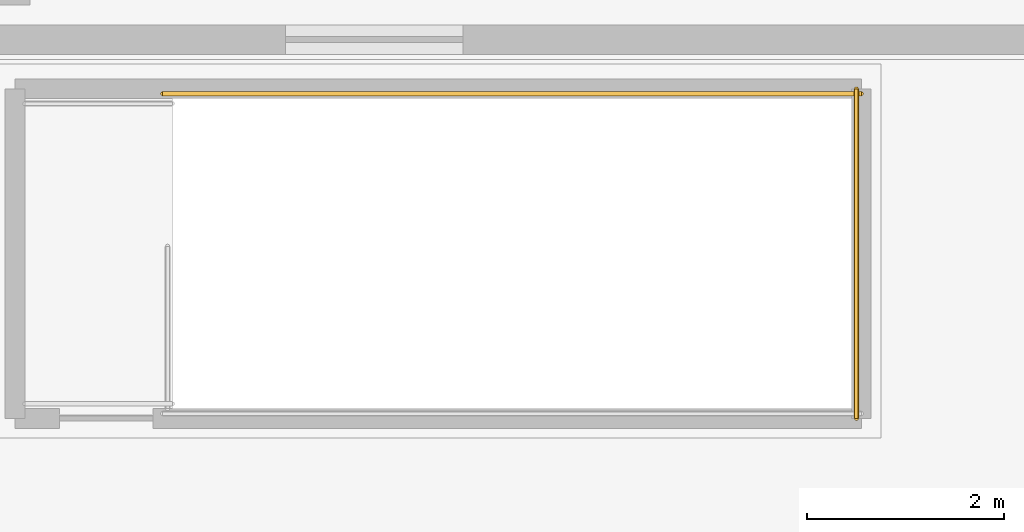
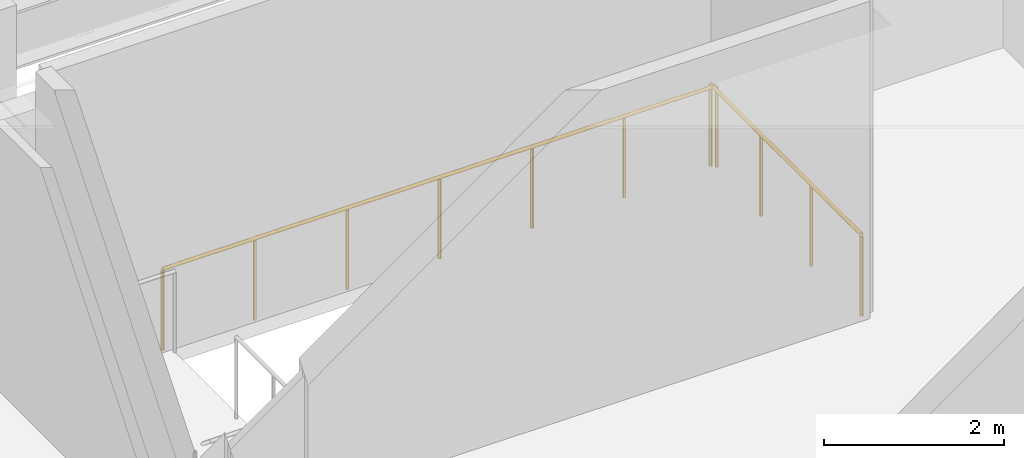
# One storey, part 23 of 24: 2 railings.
"""IFC4 building model written with IfcOpenShell, lengths in metres."""

import ifcopenshell
import ifcopenshell.guid

model = None  # the IFC model being written
_history = None  # IfcOwnerHistory: only IFC2X3 demands one
_inside = {}  # id of a spatial element -> (the spatial element, [elements in it])
_under = {}  # id of a project, library or spatial element -> (it, [spatial elements below it])
_declared = {}  # id of a project -> (the project, [libraries it declares])
_typed = {}  # id of a type object -> (the type object, [elements of that type])
_made_of = {}  # id of a material, layer set ... -> (it, [elements and type objects made of it])


def new_model(schema):
    """Start an empty IFC model of exactly this schema.

    Asked for "IFC4X3", IfcOpenShell would pick the latest addendum, in which some entities
    have other attributes; the version numbers below select the first issue.
    IFC2X3 requires an IfcOwnerHistory on every rooted entity: one is made here for all.
    """
    global model, _history
    if schema == "IFC4X3":
        model = ifcopenshell.file(schema_version=(4, 3, 0, 0))
    else:
        model = ifcopenshell.file(schema=schema)
    _inside.clear()
    _under.clear()
    _declared.clear()
    _typed.clear()
    _made_of.clear()
    _history = None
    if model.schema == "IFC2X3":
        org = make("IfcOrganization", Name="unknown")
        user = make(
            "IfcPersonAndOrganization",
            ThePerson=make("IfcPerson", FamilyName="unknown"),
            TheOrganization=org,
        )
        app = make(
            "IfcApplication",
            ApplicationDeveloper=org,
            Version="unknown",
            ApplicationFullName="unknown",
            ApplicationIdentifier="unknown",
        )
        _history = make(
            "IfcOwnerHistory",
            OwningUser=user,
            OwningApplication=app,
            ChangeAction="ADDED",
            CreationDate=0,
        )
    return model


def make(cls, **values):
    """One entity of the class cls with the attributes given. An attribute that is None is left unset."""
    return model.create_entity(
        cls, **{name: value for name, value in values.items() if value is not None}
    )


def rooted(cls, **values):
    """An entity with a GlobalId (a new one), such as an element, a storey or a relation."""
    return make(cls, GlobalId=ifcopenshell.guid.new(), OwnerHistory=_history, **values)


def si_unit(unit_type, name, prefix=None):
    """IfcSIUnit, for example si_unit("LENGTHUNIT", "METRE", prefix="MILLI")."""
    return make("IfcSIUnit", UnitType=unit_type, Prefix=prefix, Name=name)


def assignment(units):
    """IfcUnitAssignment: the units of a project."""
    return None if units is None else make("IfcUnitAssignment", Units=units)


def point(xyz):
    """IfcCartesianPoint."""
    return None if xyz is None else make("IfcCartesianPoint", Coordinates=xyz)


def direction(xyz):
    """IfcDirection."""
    return None if xyz is None else make("IfcDirection", DirectionRatios=xyz)


def frame(location, z_axis=None, x_axis=None):
    """IfcAxis2Placement3D, a coordinate frame: its origin and axes. An axis left out is left unset."""
    return make(
        "IfcAxis2Placement3D",
        Location=point(location),
        Axis=direction(z_axis),
        RefDirection=direction(x_axis),
    )


def frame_2d(location, x_axis=None):
    """IfcAxis2Placement2D, a coordinate frame in the plane: its origin and x axis."""
    return make(
        "IfcAxis2Placement2D", Location=point(location), RefDirection=direction(x_axis)
    )


def origin():
    """The frame at (0, 0, 0) with its axes left unset."""
    return frame((0.0, 0.0, 0.0))


def origin_2d():
    """The frame at (0, 0) in the plane with its x axis left unset."""
    return frame_2d((0.0, 0.0))


def place(relative_to, where):
    """IfcLocalPlacement: puts the frame where relative to a parent placement (None: the world)."""
    return make(
        "IfcLocalPlacement", PlacementRelTo=relative_to, RelativePlacement=where
    )


def context(
    kind, dimensions, precision=None, world=None, true_north=None, identifier=None
):
    """IfcGeometricRepresentationContext, for example the 3D "Model" context."""
    return make(
        "IfcGeometricRepresentationContext",
        ContextIdentifier=identifier,
        ContextType=kind,
        CoordinateSpaceDimension=dimensions,
        Precision=precision,
        WorldCoordinateSystem=world,
        TrueNorth=true_north,
    )


def subcontext(parent, identifier, kind, view, scale=None):
    """IfcGeometricRepresentationSubContext, for example "Body" below "Model"."""
    return make(
        "IfcGeometricRepresentationSubContext",
        ContextIdentifier=identifier,
        ContextType=kind,
        ParentContext=parent,
        TargetScale=scale,
        TargetView=view,
    )


def project(units=None, contexts=None):
    """IfcProject with its units and contexts."""
    return rooted(
        "IfcProject",
        Name="project",
        RepresentationContexts=contexts,
        UnitsInContext=assignment(units),
    )


def spatial(cls, under=None, at=None, **own):
    """A site, building, storey or space (cls), placed at a placement, below another one or the project."""
    s = rooted(cls, ObjectPlacement=at, **own)
    if under is not None:
        _under.setdefault(under.id(), (under, []))[1].append(s)
    return s


def profile(cls, at=None, kind="AREA", **sizes):
    """A parametric profile (cls). Its sizes go by their IFC names, for example OverallWidth=200.0."""
    return make(cls, ProfileType=kind, Position=at, **sizes)


def circle(**sizes):
    """IfcCircleProfileDef."""
    return profile("IfcCircleProfileDef", **sizes)


def extrude(swept, where, along, depth):
    """IfcExtrudedAreaSolid: the profile swept, set in the frame where, extruded along a direction by depth."""
    return make(
        "IfcExtrudedAreaSolid",
        SweptArea=swept,
        Position=where,
        ExtrudedDirection=direction(along),
        Depth=depth,
    )


def shape(context_of_items, identifier, shape_type, items):
    """IfcShapeRepresentation: the items that make up one representation, for example the "Body"."""
    return make(
        "IfcShapeRepresentation",
        ContextOfItems=context_of_items,
        RepresentationIdentifier=identifier,
        RepresentationType=shape_type,
        Items=items,
    )


def material(Name=None, Category=None):
    """IfcMaterial."""
    return make("IfcMaterial", Name=Name, Category=Category)


def made_of(thing, what):
    """Note that an element or type object is made of a material, layer set ...; save() writes the relation."""
    if what is not None:
        _made_of.setdefault(what.id(), (what, []))[1].append(thing)
    return thing


def type_object(cls, material=None, **own):
    """A type object (cls), such as IfcWallType, which elements share."""
    return made_of(rooted(cls, **own), material)


def element(
    cls,
    number,
    at=None,
    inside=None,
    cuts=None,
    type_object=None,
    material=None,
    context=None,
    identifier="Body",
    shape_type=None,
    held_by="IfcProductDefinitionShape",
    body=None,
    shapes=None,
    **own,
):
    """One element of the class cls, such as IfcWall. Its Tag is "e" and its number.

    at: its placement. inside: the storey or other place that contains it. cuts: it is an
    opening in that element (IfcRelVoidsElement). A single representation is given by context,
    identifier, shape_type and body (its items); several are given by shapes. held_by: the class
    of the entity that holds the representations. save() writes the other relations.
    """
    e = rooted(cls, Tag="e%d" % number, ObjectPlacement=at, **own)
    if body is not None:
        shapes = [shape(context, identifier, shape_type, body)]
    if shapes is not None:
        e.Representation = make(held_by, Representations=shapes)
    if inside is not None:
        _inside.setdefault(inside.id(), (inside, []))[1].append(e)
    if cuts is not None:
        rooted(
            "IfcRelVoidsElement", RelatingBuildingElement=cuts, RelatedOpeningElement=e
        )
    if type_object is not None:
        _typed.setdefault(type_object.id(), (type_object, []))[1].append(e)
    return made_of(e, material)


def aggregate(whole, parts):
    """IfcRelAggregates: a whole, such as a stair, and the parts it consists of."""
    return rooted("IfcRelAggregates", RelatingObject=whole, RelatedObjects=parts)


def save(model, path):
    """Write the relations noted so far, then the file.

    IfcRelAggregates (storeys below a building ...), IfcRelContainedInSpatialStructure (elements
    in a storey), IfcRelDefinesByType, IfcRelAssociatesMaterial and IfcRelDeclares: one each for
    every whole, place, type object, material and project.
    """
    for whole, parts in _under.values():
        aggregate(whole, parts)
    for where, things in _inside.values():
        rooted(
            "IfcRelContainedInSpatialStructure",
            RelatedElements=things,
            RelatingStructure=where,
        )
    for kind, things in _typed.values():
        rooted("IfcRelDefinesByType", RelatedObjects=things, RelatingType=kind)
    for what, things in _made_of.values():
        rooted("IfcRelAssociatesMaterial", RelatedObjects=things, RelatingMaterial=what)
    for by, libraries in _declared.values():
        rooted("IfcRelDeclares", RelatingContext=by, RelatedDefinitions=libraries)
    model.write(path)


model = new_model("IFC4")

# Units and contexts
model_context = context("Model", 3, precision=1e-05, world=origin(), true_north=direction((0.0, 1.0)))
body_context = subcontext(model_context, "Body", "Model", "MODEL_VIEW")
ifc_project = project(units=[si_unit("LENGTHUNIT", "METRE"), si_unit("AREAUNIT", "SQUARE_METRE"), si_unit("VOLUMEUNIT", "CUBIC_METRE"), si_unit("PLANEANGLEUNIT", "RADIAN"), si_unit("MASSUNIT", "GRAM", prefix="KILO")], contexts=[model_context])

# Site, building, storey
site_placement = place(None, origin())
site = spatial("IfcSite", under=ifc_project, at=site_placement, CompositionType="ELEMENT")
building_placement = place(site_placement, origin())
building = spatial("IfcBuilding", under=site, at=building_placement, Name="Valkerne Bourse Tower", CompositionType="ELEMENT")
storey_placement = place(building_placement, frame((0.0, 0.0, 19.39990234375)))
storey = spatial("IfcBuildingStorey", under=building, at=storey_placement, Name="L04", CompositionType="ELEMENT", Elevation=19.39990234375)

# Railings
ifc_material = material(Name="Galvanised Painted Steel", Category="steel")
railing_type = type_object("IfcRailingType", Name="RLG-ST-GUARD-1120", PredefinedType="GUARDRAIL", material=ifc_material)
railing_1_placement = place(storey_placement, frame((65.60009765625, 52.199951171875, 0.0)))
element("IfcRailing", 1, at=railing_1_placement, inside=storey, type_object=railing_type, Name="L04 ST-P2 top well guard 3", PredefinedType="GUARDRAIL", context=body_context, shape_type="SweptSolid", body=[
    extrude(circle(Radius=0.02392578125, at=origin_2d()), frame((0.0, 0.0, 1.09619140625), z_axis=(1.0, 0.0, 0.0), x_axis=(0.0, 1.0, 0.0)), (0.0, 0.0, 1.0), 7.099853515625),
    extrude(circle(Radius=0.02099609375, at=origin_2d()), origin(), (0.0, 0.0, 1.0), 1.072021484375),
    extrude(circle(Radius=0.02099609375, at=origin_2d()), frame((1.183349609375, 0.0, 0.0)), (0.0, 0.0, 1.0), 1.072021484375),
    extrude(circle(Radius=0.02099609375, at=origin_2d()), frame((2.36669921875, 0.0, 0.0)), (0.0, 0.0, 1.0), 1.072021484375),
    extrude(circle(Radius=0.02099609375, at=origin_2d()), frame((3.5498046875, 0.0, 0.0)), (0.0, 0.0, 1.0), 1.072021484375),
    extrude(circle(Radius=0.02099609375, at=origin_2d()), frame((4.733154296875, 0.0, 0.0)), (0.0, 0.0, 1.0), 1.072021484375),
    extrude(circle(Radius=0.02099609375, at=origin_2d()), frame((5.91650390625, 0.0, 0.0)), (0.0, 0.0, 1.0), 1.072021484375),
    extrude(circle(Radius=0.02099609375, at=origin_2d()), frame((7.099853515625, 0.0, 0.0)), (0.0, 0.0, 1.0), 1.072021484375),
])
railing_2_placement = place(storey_placement, frame((72.64990234375, 48.89990234375, 0.0)))
element("IfcRailing", 2, at=railing_2_placement, inside=storey, type_object=railing_type, Name="L04 ST-P2 top well guard 4", PredefinedType="GUARDRAIL", context=body_context, shape_type="SweptSolid", body=[
    extrude(circle(Radius=0.02392578125, at=origin_2d()), frame((0.0, 0.0, 1.09619140625), z_axis=(0.0, 1.0, 0.0), x_axis=(-1.0, 0.0, 0.0)), (0.0, 0.0, 1.0), 3.35009765625),
    extrude(circle(Radius=0.02099609375, at=origin_2d()), origin(), (0.0, 0.0, 1.0), 1.072021484375),
    extrude(circle(Radius=0.02099609375, at=origin_2d()), frame((0.0, 1.11669921875, 0.0)), (0.0, 0.0, 1.0), 1.072021484375),
    extrude(circle(Radius=0.02099609375, at=origin_2d()), frame((0.0, 2.2333984375, 0.0)), (0.0, 0.0, 1.0), 1.072021484375),
    extrude(circle(Radius=0.02099609375, at=origin_2d()), frame((0.0, 3.35009765625, 0.0)), (0.0, 0.0, 1.0), 1.072021484375),
])

save(model, "model.ifc")
